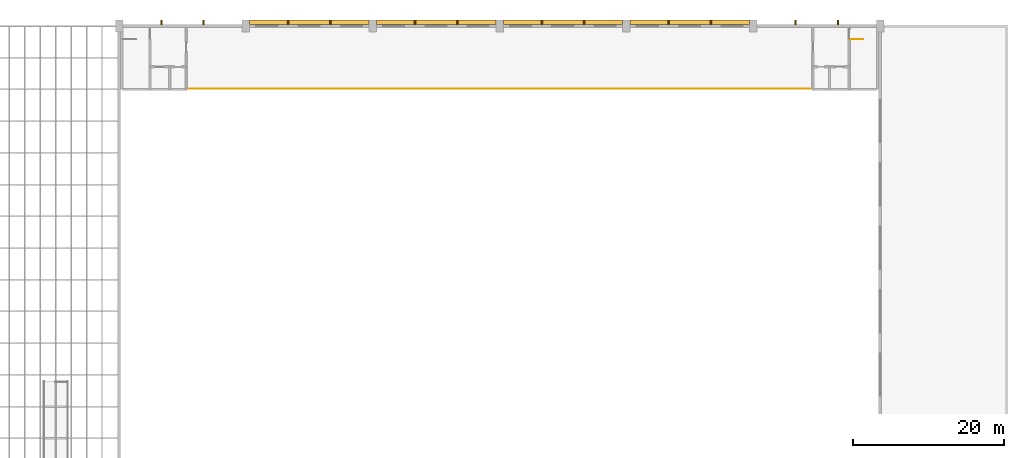
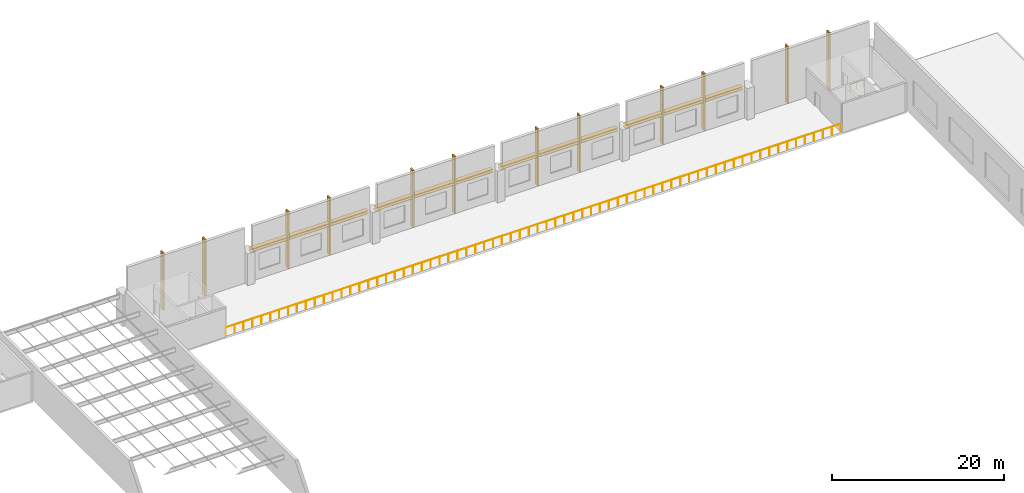
# One storey, part 158 of 162: 24 shading devices, 12 coverings, 2 railings.
"""IFC4 building model written with IfcOpenShell, lengths in metres."""

import ifcopenshell
import ifcopenshell.guid

model = None  # the IFC model being written
_history = None  # IfcOwnerHistory: only IFC2X3 demands one
_inside = {}  # id of a spatial element -> (the spatial element, [elements in it])
_under = {}  # id of a project, library or spatial element -> (it, [spatial elements below it])
_declared = {}  # id of a project -> (the project, [libraries it declares])
_typed = {}  # id of a type object -> (the type object, [elements of that type])
_made_of = {}  # id of a material, layer set ... -> (it, [elements and type objects made of it])


def new_model(schema):
    """Start an empty IFC model of exactly this schema.

    Asked for "IFC4X3", IfcOpenShell would pick the latest addendum, in which some entities
    have other attributes; the version numbers below select the first issue.
    IFC2X3 requires an IfcOwnerHistory on every rooted entity: one is made here for all.
    """
    global model, _history
    if schema == "IFC4X3":
        model = ifcopenshell.file(schema_version=(4, 3, 0, 0))
    else:
        model = ifcopenshell.file(schema=schema)
    _inside.clear()
    _under.clear()
    _declared.clear()
    _typed.clear()
    _made_of.clear()
    _history = None
    if model.schema == "IFC2X3":
        org = make("IfcOrganization", Name="unknown")
        user = make(
            "IfcPersonAndOrganization",
            ThePerson=make("IfcPerson", FamilyName="unknown"),
            TheOrganization=org,
        )
        app = make(
            "IfcApplication",
            ApplicationDeveloper=org,
            Version="unknown",
            ApplicationFullName="unknown",
            ApplicationIdentifier="unknown",
        )
        _history = make(
            "IfcOwnerHistory",
            OwningUser=user,
            OwningApplication=app,
            ChangeAction="ADDED",
            CreationDate=0,
        )
    return model


def make(cls, **values):
    """One entity of the class cls with the attributes given. An attribute that is None is left unset."""
    return model.create_entity(
        cls, **{name: value for name, value in values.items() if value is not None}
    )


def rooted(cls, **values):
    """An entity with a GlobalId (a new one), such as an element, a storey or a relation."""
    return make(cls, GlobalId=ifcopenshell.guid.new(), OwnerHistory=_history, **values)


def si_unit(unit_type, name, prefix=None):
    """IfcSIUnit, for example si_unit("LENGTHUNIT", "METRE", prefix="MILLI")."""
    return make("IfcSIUnit", UnitType=unit_type, Prefix=prefix, Name=name)


def assignment(units):
    """IfcUnitAssignment: the units of a project."""
    return None if units is None else make("IfcUnitAssignment", Units=units)


def point(xyz):
    """IfcCartesianPoint."""
    return None if xyz is None else make("IfcCartesianPoint", Coordinates=xyz)


def direction(xyz):
    """IfcDirection."""
    return None if xyz is None else make("IfcDirection", DirectionRatios=xyz)


def frame(location, z_axis=None, x_axis=None):
    """IfcAxis2Placement3D, a coordinate frame: its origin and axes. An axis left out is left unset."""
    return make(
        "IfcAxis2Placement3D",
        Location=point(location),
        Axis=direction(z_axis),
        RefDirection=direction(x_axis),
    )


def frame_2d(location, x_axis=None):
    """IfcAxis2Placement2D, a coordinate frame in the plane: its origin and x axis."""
    return make(
        "IfcAxis2Placement2D", Location=point(location), RefDirection=direction(x_axis)
    )


def origin():
    """The frame at (0, 0, 0) with its axes left unset."""
    return frame((0.0, 0.0, 0.0))


def origin_2d():
    """The frame at (0, 0) in the plane with its x axis left unset."""
    return frame_2d((0.0, 0.0))


def place(relative_to, where):
    """IfcLocalPlacement: puts the frame where relative to a parent placement (None: the world)."""
    return make(
        "IfcLocalPlacement", PlacementRelTo=relative_to, RelativePlacement=where
    )


def context(
    kind, dimensions, precision=None, world=None, true_north=None, identifier=None
):
    """IfcGeometricRepresentationContext, for example the 3D "Model" context."""
    return make(
        "IfcGeometricRepresentationContext",
        ContextIdentifier=identifier,
        ContextType=kind,
        CoordinateSpaceDimension=dimensions,
        Precision=precision,
        WorldCoordinateSystem=world,
        TrueNorth=true_north,
    )


def subcontext(parent, identifier, kind, view, scale=None):
    """IfcGeometricRepresentationSubContext, for example "Body" below "Model"."""
    return make(
        "IfcGeometricRepresentationSubContext",
        ContextIdentifier=identifier,
        ContextType=kind,
        ParentContext=parent,
        TargetScale=scale,
        TargetView=view,
    )


def project(units=None, contexts=None):
    """IfcProject with its units and contexts."""
    return rooted(
        "IfcProject",
        Name="project",
        RepresentationContexts=contexts,
        UnitsInContext=assignment(units),
    )


def spatial(cls, under=None, at=None, **own):
    """A site, building, storey or space (cls), placed at a placement, below another one or the project."""
    s = rooted(cls, ObjectPlacement=at, **own)
    if under is not None:
        _under.setdefault(under.id(), (under, []))[1].append(s)
    return s


def profile(cls, at=None, kind="AREA", **sizes):
    """A parametric profile (cls). Its sizes go by their IFC names, for example OverallWidth=200.0."""
    return make(cls, ProfileType=kind, Position=at, **sizes)


def rectangle(**sizes):
    """IfcRectangleProfileDef."""
    return profile("IfcRectangleProfileDef", **sizes)


def circle(**sizes):
    """IfcCircleProfileDef."""
    return profile("IfcCircleProfileDef", **sizes)


def extrude(swept, where, along, depth):
    """IfcExtrudedAreaSolid: the profile swept, set in the frame where, extruded along a direction by depth."""
    return make(
        "IfcExtrudedAreaSolid",
        SweptArea=swept,
        Position=where,
        ExtrudedDirection=direction(along),
        Depth=depth,
    )


def shape(context_of_items, identifier, shape_type, items):
    """IfcShapeRepresentation: the items that make up one representation, for example the "Body"."""
    return make(
        "IfcShapeRepresentation",
        ContextOfItems=context_of_items,
        RepresentationIdentifier=identifier,
        RepresentationType=shape_type,
        Items=items,
    )


def material(Name=None, Category=None):
    """IfcMaterial."""
    return make("IfcMaterial", Name=Name, Category=Category)


def layer(
    of_material, thickness, ventilated=None, Name=None, Category=None, Priority=None
):
    """IfcMaterialLayer: one layer of a wall or slab, of a material (None: an air gap)."""
    return make(
        "IfcMaterialLayer",
        Material=of_material,
        LayerThickness=thickness,
        IsVentilated=ventilated,
        Name=Name,
        Category=Category,
        Priority=Priority,
    )


def layer_set(layers, Name=None):
    """IfcMaterialLayerSet."""
    return make("IfcMaterialLayerSet", MaterialLayers=layers, LayerSetName=Name)


def made_of(thing, what):
    """Note that an element or type object is made of a material, layer set ...; save() writes the relation."""
    if what is not None:
        _made_of.setdefault(what.id(), (what, []))[1].append(thing)
    return thing


def type_object(cls, material=None, **own):
    """A type object (cls), such as IfcWallType, which elements share."""
    return made_of(rooted(cls, **own), material)


def element(
    cls,
    number,
    at=None,
    inside=None,
    cuts=None,
    type_object=None,
    material=None,
    context=None,
    identifier="Body",
    shape_type=None,
    held_by="IfcProductDefinitionShape",
    body=None,
    shapes=None,
    **own,
):
    """One element of the class cls, such as IfcWall. Its Tag is "e" and its number.

    at: its placement. inside: the storey or other place that contains it. cuts: it is an
    opening in that element (IfcRelVoidsElement). A single representation is given by context,
    identifier, shape_type and body (its items); several are given by shapes. held_by: the class
    of the entity that holds the representations. save() writes the other relations.
    """
    e = rooted(cls, Tag="e%d" % number, ObjectPlacement=at, **own)
    if body is not None:
        shapes = [shape(context, identifier, shape_type, body)]
    if shapes is not None:
        e.Representation = make(held_by, Representations=shapes)
    if inside is not None:
        _inside.setdefault(inside.id(), (inside, []))[1].append(e)
    if cuts is not None:
        rooted(
            "IfcRelVoidsElement", RelatingBuildingElement=cuts, RelatedOpeningElement=e
        )
    if type_object is not None:
        _typed.setdefault(type_object.id(), (type_object, []))[1].append(e)
    return made_of(e, material)


def aggregate(whole, parts):
    """IfcRelAggregates: a whole, such as a stair, and the parts it consists of."""
    return rooted("IfcRelAggregates", RelatingObject=whole, RelatedObjects=parts)


def save(model, path):
    """Write the relations noted so far, then the file.

    IfcRelAggregates (storeys below a building ...), IfcRelContainedInSpatialStructure (elements
    in a storey), IfcRelDefinesByType, IfcRelAssociatesMaterial and IfcRelDeclares: one each for
    every whole, place, type object, material and project.
    """
    for whole, parts in _under.values():
        aggregate(whole, parts)
    for where, things in _inside.values():
        rooted(
            "IfcRelContainedInSpatialStructure",
            RelatedElements=things,
            RelatingStructure=where,
        )
    for kind, things in _typed.values():
        rooted("IfcRelDefinesByType", RelatedObjects=things, RelatingType=kind)
    for what, things in _made_of.values():
        rooted("IfcRelAssociatesMaterial", RelatedObjects=things, RelatingMaterial=what)
    for by, libraries in _declared.values():
        rooted("IfcRelDeclares", RelatingContext=by, RelatedDefinitions=libraries)
    model.write(path)


model = new_model("IFC4")

# Units and contexts
model_context = context("Model", 3, precision=1e-05, world=origin(), true_north=direction((0.0, 1.0)))
body_context = subcontext(model_context, "Body", "Model", "MODEL_VIEW")
ifc_project = project(units=[si_unit("LENGTHUNIT", "METRE"), si_unit("AREAUNIT", "SQUARE_METRE"), si_unit("VOLUMEUNIT", "CUBIC_METRE"), si_unit("PLANEANGLEUNIT", "RADIAN"), si_unit("MASSUNIT", "GRAM", prefix="KILO")], contexts=[model_context])

# Site, building, storey
site_placement = place(None, origin())
site = spatial("IfcSite", under=ifc_project, at=site_placement, CompositionType="ELEMENT")
building_placement = place(site_placement, origin())
building = spatial("IfcBuilding", under=site, at=building_placement, Name="Rain Tree Exposition and Congress Centre", CompositionType="ELEMENT")
storey_placement = place(building_placement, frame((0.0, 0.0, 6.0)))
storey = spatial("IfcBuildingStorey", under=building, at=storey_placement, Name="L01", CompositionType="ELEMENT", Elevation=6.0)

# Railing
ifc_material_1 = material(Name="Steel S355J2H", Category="steel")
railing_type_1 = type_object("IfcRailingType", Name="Gallery guard 1200", PredefinedType="GUARDRAIL", material=ifc_material_1)
railing_1_placement = place(storey_placement, frame((151.824951171875, 193.300048828125, 0.0)))
element("IfcRailing", 1, at=railing_1_placement, inside=storey, type_object=railing_type_1, Name="Gallery guard N", PredefinedType="GUARDRAIL", context=body_context, shape_type="SweptSolid", body=[
    extrude(circle(Radius=0.02392578125, at=origin_2d()), frame((0.0, 0.0, 1.17578125), z_axis=(1.0, 0.0, 0.0), x_axis=(0.0, 1.0, 0.0)), (0.0, 0.0, 1.0), 82.75),
    extrude(circle(Radius=0.02099609375, at=origin_2d()), origin(), (0.0, 0.0, 1.0), 1.15185546875),
    extrude(circle(Radius=0.02099609375, at=origin_2d()), frame((1.19921875, 0.0, 0.0)), (0.0, 0.0, 1.0), 1.15185546875),
    extrude(circle(Radius=0.02099609375, at=origin_2d()), frame((2.3984375, 0.0, 0.0)), (0.0, 0.0, 1.0), 1.15185546875),
    extrude(circle(Radius=0.02099609375, at=origin_2d()), frame((3.597900390625, 0.0, 0.0)), (0.0, 0.0, 1.0), 1.15185546875),
    extrude(circle(Radius=0.02099609375, at=origin_2d()), frame((4.797119140625, 0.0, 0.0)), (0.0, 0.0, 1.0), 1.15185546875),
    extrude(circle(Radius=0.02099609375, at=origin_2d()), frame((5.996337890625, 0.0, 0.0)), (0.0, 0.0, 1.0), 1.15185546875),
    extrude(circle(Radius=0.02099609375, at=origin_2d()), frame((7.195556640625, 0.0, 0.0)), (0.0, 0.0, 1.0), 1.15185546875),
    extrude(circle(Radius=0.02099609375, at=origin_2d()), frame((8.39501953125, 0.0, 0.0)), (0.0, 0.0, 1.0), 1.15185546875),
    extrude(circle(Radius=0.02099609375, at=origin_2d()), frame((9.59423828125, 0.0, 0.0)), (0.0, 0.0, 1.0), 1.15185546875),
    extrude(circle(Radius=0.02099609375, at=origin_2d()), frame((10.79345703125, 0.0, 0.0)), (0.0, 0.0, 1.0), 1.15185546875),
    extrude(circle(Radius=0.02099609375, at=origin_2d()), frame((11.99267578125, 0.0, 0.0)), (0.0, 0.0, 1.0), 1.15185546875),
    extrude(circle(Radius=0.02099609375, at=origin_2d()), frame((13.192138671875, 0.0, 0.0)), (0.0, 0.0, 1.0), 1.15185546875),
    extrude(circle(Radius=0.02099609375, at=origin_2d()), frame((14.391357421875, 0.0, 0.0)), (0.0, 0.0, 1.0), 1.15185546875),
    extrude(circle(Radius=0.02099609375, at=origin_2d()), frame((15.590576171875, 0.0, 0.0)), (0.0, 0.0, 1.0), 1.15185546875),
    extrude(circle(Radius=0.02099609375, at=origin_2d()), frame((16.789794921875, 0.0, 0.0)), (0.0, 0.0, 1.0), 1.15185546875),
    extrude(circle(Radius=0.02099609375, at=origin_2d()), frame((17.989013671875, 0.0, 0.0)), (0.0, 0.0, 1.0), 1.15185546875),
    extrude(circle(Radius=0.02099609375, at=origin_2d()), frame((19.1884765625, 0.0, 0.0)), (0.0, 0.0, 1.0), 1.15185546875),
    extrude(circle(Radius=0.02099609375, at=origin_2d()), frame((20.3876953125, 0.0, 0.0)), (0.0, 0.0, 1.0), 1.15185546875),
    extrude(circle(Radius=0.02099609375, at=origin_2d()), frame((21.5869140625, 0.0, 0.0)), (0.0, 0.0, 1.0), 1.15185546875),
    extrude(circle(Radius=0.02099609375, at=origin_2d()), frame((22.7861328125, 0.0, 0.0)), (0.0, 0.0, 1.0), 1.15185546875),
    extrude(circle(Radius=0.02099609375, at=origin_2d()), frame((23.985595703125, 0.0, 0.0)), (0.0, 0.0, 1.0), 1.15185546875),
    extrude(circle(Radius=0.02099609375, at=origin_2d()), frame((25.184814453125, 0.0, 0.0)), (0.0, 0.0, 1.0), 1.15185546875),
    extrude(circle(Radius=0.02099609375, at=origin_2d()), frame((26.384033203125, 0.0, 0.0)), (0.0, 0.0, 1.0), 1.15185546875),
    extrude(circle(Radius=0.02099609375, at=origin_2d()), frame((27.583251953125, 0.0, 0.0)), (0.0, 0.0, 1.0), 1.15185546875),
    extrude(circle(Radius=0.02099609375, at=origin_2d()), frame((28.78271484375, 0.0, 0.0)), (0.0, 0.0, 1.0), 1.15185546875),
    extrude(circle(Radius=0.02099609375, at=origin_2d()), frame((29.98193359375, 0.0, 0.0)), (0.0, 0.0, 1.0), 1.15185546875),
    extrude(circle(Radius=0.02099609375, at=origin_2d()), frame((31.18115234375, 0.0, 0.0)), (0.0, 0.0, 1.0), 1.15185546875),
    extrude(circle(Radius=0.02099609375, at=origin_2d()), frame((32.38037109375, 0.0, 0.0)), (0.0, 0.0, 1.0), 1.15185546875),
    extrude(circle(Radius=0.02099609375, at=origin_2d()), frame((33.57958984375, 0.0, 0.0)), (0.0, 0.0, 1.0), 1.15185546875),
    extrude(circle(Radius=0.02099609375, at=origin_2d()), frame((34.779052734375, 0.0, 0.0)), (0.0, 0.0, 1.0), 1.15185546875),
    extrude(circle(Radius=0.02099609375, at=origin_2d()), frame((35.978271484375, 0.0, 0.0)), (0.0, 0.0, 1.0), 1.15185546875),
    extrude(circle(Radius=0.02099609375, at=origin_2d()), frame((37.177490234375, 0.0, 0.0)), (0.0, 0.0, 1.0), 1.15185546875),
    extrude(circle(Radius=0.02099609375, at=origin_2d()), frame((38.376708984375, 0.0, 0.0)), (0.0, 0.0, 1.0), 1.15185546875),
    extrude(circle(Radius=0.02099609375, at=origin_2d()), frame((39.576171875, 0.0, 0.0)), (0.0, 0.0, 1.0), 1.15185546875),
    extrude(circle(Radius=0.02099609375, at=origin_2d()), frame((40.775390625, 0.0, 0.0)), (0.0, 0.0, 1.0), 1.15185546875),
    extrude(circle(Radius=0.02099609375, at=origin_2d()), frame((41.974609375, 0.0, 0.0)), (0.0, 0.0, 1.0), 1.15185546875),
    extrude(circle(Radius=0.02099609375, at=origin_2d()), frame((43.173828125, 0.0, 0.0)), (0.0, 0.0, 1.0), 1.15185546875),
    extrude(circle(Radius=0.02099609375, at=origin_2d()), frame((44.373291015625, 0.0, 0.0)), (0.0, 0.0, 1.0), 1.15185546875),
    extrude(circle(Radius=0.02099609375, at=origin_2d()), frame((45.572509765625, 0.0, 0.0)), (0.0, 0.0, 1.0), 1.15185546875),
    extrude(circle(Radius=0.02099609375, at=origin_2d()), frame((46.771728515625, 0.0, 0.0)), (0.0, 0.0, 1.0), 1.15185546875),
    extrude(circle(Radius=0.02099609375, at=origin_2d()), frame((47.970947265625, 0.0, 0.0)), (0.0, 0.0, 1.0), 1.15185546875),
    extrude(circle(Radius=0.02099609375, at=origin_2d()), frame((49.17041015625, 0.0, 0.0)), (0.0, 0.0, 1.0), 1.15185546875),
    extrude(circle(Radius=0.02099609375, at=origin_2d()), frame((50.36962890625, 0.0, 0.0)), (0.0, 0.0, 1.0), 1.15185546875),
    extrude(circle(Radius=0.02099609375, at=origin_2d()), frame((51.56884765625, 0.0, 0.0)), (0.0, 0.0, 1.0), 1.15185546875),
    extrude(circle(Radius=0.02099609375, at=origin_2d()), frame((52.76806640625, 0.0, 0.0)), (0.0, 0.0, 1.0), 1.15185546875),
    extrude(circle(Radius=0.02099609375, at=origin_2d()), frame((53.96728515625, 0.0, 0.0)), (0.0, 0.0, 1.0), 1.15185546875),
    extrude(circle(Radius=0.02099609375, at=origin_2d()), frame((55.166748046875, 0.0, 0.0)), (0.0, 0.0, 1.0), 1.15185546875),
    extrude(circle(Radius=0.02099609375, at=origin_2d()), frame((56.365966796875, 0.0, 0.0)), (0.0, 0.0, 1.0), 1.15185546875),
    extrude(circle(Radius=0.02099609375, at=origin_2d()), frame((57.565185546875, 0.0, 0.0)), (0.0, 0.0, 1.0), 1.15185546875),
    extrude(circle(Radius=0.02099609375, at=origin_2d()), frame((58.764404296875, 0.0, 0.0)), (0.0, 0.0, 1.0), 1.15185546875),
    extrude(circle(Radius=0.02099609375, at=origin_2d()), frame((59.9638671875, 0.0, 0.0)), (0.0, 0.0, 1.0), 1.15185546875),
    extrude(circle(Radius=0.02099609375, at=origin_2d()), frame((61.1630859375, 0.0, 0.0)), (0.0, 0.0, 1.0), 1.15185546875),
    extrude(circle(Radius=0.02099609375, at=origin_2d()), frame((62.3623046875, 0.0, 0.0)), (0.0, 0.0, 1.0), 1.15185546875),
    extrude(circle(Radius=0.02099609375, at=origin_2d()), frame((63.5615234375, 0.0, 0.0)), (0.0, 0.0, 1.0), 1.15185546875),
    extrude(circle(Radius=0.02099609375, at=origin_2d()), frame((64.760986328125, 0.0, 0.0)), (0.0, 0.0, 1.0), 1.15185546875),
    extrude(circle(Radius=0.02099609375, at=origin_2d()), frame((65.960205078125, 0.0, 0.0)), (0.0, 0.0, 1.0), 1.15185546875),
    extrude(circle(Radius=0.02099609375, at=origin_2d()), frame((67.159423828125, 0.0, 0.0)), (0.0, 0.0, 1.0), 1.15185546875),
    extrude(circle(Radius=0.02099609375, at=origin_2d()), frame((68.358642578125, 0.0, 0.0)), (0.0, 0.0, 1.0), 1.15185546875),
    extrude(circle(Radius=0.02099609375, at=origin_2d()), frame((69.557861328125, 0.0, 0.0)), (0.0, 0.0, 1.0), 1.15185546875),
    extrude(circle(Radius=0.02099609375, at=origin_2d()), frame((70.75732421875, 0.0, 0.0)), (0.0, 0.0, 1.0), 1.15185546875),
    extrude(circle(Radius=0.02099609375, at=origin_2d()), frame((71.95654296875, 0.0, 0.0)), (0.0, 0.0, 1.0), 1.15185546875),
    extrude(circle(Radius=0.02099609375, at=origin_2d()), frame((73.15576171875, 0.0, 0.0)), (0.0, 0.0, 1.0), 1.15185546875),
    extrude(circle(Radius=0.02099609375, at=origin_2d()), frame((74.35498046875, 0.0, 0.0)), (0.0, 0.0, 1.0), 1.15185546875),
    extrude(circle(Radius=0.02099609375, at=origin_2d()), frame((75.554443359375, 0.0, 0.0)), (0.0, 0.0, 1.0), 1.15185546875),
    extrude(circle(Radius=0.02099609375, at=origin_2d()), frame((76.753662109375, 0.0, 0.0)), (0.0, 0.0, 1.0), 1.15185546875),
    extrude(circle(Radius=0.02099609375, at=origin_2d()), frame((77.952880859375, 0.0, 0.0)), (0.0, 0.0, 1.0), 1.15185546875),
    extrude(circle(Radius=0.02099609375, at=origin_2d()), frame((79.152099609375, 0.0, 0.0)), (0.0, 0.0, 1.0), 1.15185546875),
    extrude(circle(Radius=0.02099609375, at=origin_2d()), frame((80.3515625, 0.0, 0.0)), (0.0, 0.0, 1.0), 1.15185546875),
    extrude(circle(Radius=0.02099609375, at=origin_2d()), frame((81.55078125, 0.0, 0.0)), (0.0, 0.0, 1.0), 1.15185546875),
    extrude(circle(Radius=0.02099609375, at=origin_2d()), frame((82.75, 0.0, 0.0)), (0.0, 0.0, 1.0), 1.15185546875),
])

# Coverings
ifc_material_2 = material(Name="Precast concrete C50/60", Category="concrete")
ifc_layer_1 = layer(ifc_material_2, 0.199951171875)
ifc_layer_set_1 = layer_set([ifc_layer_1], Name="Precast concrete C50/60")
covering_type = type_object("IfcCoveringType", Name="North face fin 200x600", PredefinedType="CLADDING", material=ifc_layer_set_1)
for number, where, z_axis, x_axis, name in (
    (2, (148.39990234375, 202.10009765625, -0.300048828125), (0.0, 0.0, 1.0), (1.0, 0.0, 0.0), "Facade fin N1.1"),
    (3, (154.0, 202.10009765625, -0.300048828125), (0.0, 0.0, 1.0), (1.0, 0.0, 0.0), "Facade fin N1.2"),
    (4, (165.199951171875, 202.10009765625, -0.300048828125), (0.0, 0.0, 1.0), (1.0, 0.0, 0.0), "Facade fin N2.1"),
    (5, (170.800048828125, 202.10009765625, -0.300048828125), (0.0, 0.0, 1.0), (1.0, 0.0, 0.0), "Facade fin N2.2"),
    (6, (182.0, 202.10009765625, -0.300048828125), (0.0, 0.0, 1.0), (1.0, 0.0, 0.0), "Facade fin N3.1"),
    (7, (187.60009765625, 202.10009765625, -0.300048828125), (0.0, 0.0, 1.0), (1.0, 0.0, 0.0), "Facade fin N3.2"),
    (8, (198.800048828125, 202.10009765625, -0.300048828125), (0.0, 0.0, 1.0), (1.0, 0.0, 0.0), "Facade fin N4.1"),
    (9, (204.39990234375, 202.10009765625, -0.300048828125), (0.0, 0.0, 1.0), (1.0, 0.0, 0.0), "Facade fin N4.2"),
    (10, (215.60009765625, 202.10009765625, -0.300048828125), (0.0, 0.0, 1.0), (1.0, 0.0, 0.0), "Facade fin N5.1"),
    (11, (221.199951171875, 202.10009765625, -0.300048828125), (0.0, 0.0, 1.0), (1.0, 0.0, 0.0), "Facade fin N5.2"),
    (12, (232.39990234375, 202.10009765625, -0.300048828125), (0.0, 0.0, 1.0), (1.0, 0.0, 0.0), "Facade fin N6.1"),
    (13, (238.0, 202.10009765625, -0.300048828125), (0.0, 0.0, 1.0), (1.0, 0.0, 0.0), "Facade fin N6.2"),
):
    element("IfcCovering", number, at=place(storey_placement, frame(where, z_axis=z_axis, x_axis=x_axis)), inside=storey, type_object=covering_type, Name=name, PredefinedType="CLADDING", context=body_context, shape_type="SweptSolid", body=[
        extrude(rectangle(XDim=0.199951171875, YDim=0.60009765625, at=origin_2d()), origin(), (0.0, 0.0, 1.0), 8.10009765625),
    ])

# Railing
ifc_material_3 = material(Name="Steel S355J2H", Category="steel")
railing_type_2 = type_object("IfcRailingType", Name="Stair guard 1100", PredefinedType="GUARDRAIL", material=ifc_material_3)
railing_2_placement = place(storey_placement, frame((239.625, 199.85009765625, 0.0)))
element("IfcRailing", 14, at=railing_2_placement, inside=storey, type_object=railing_type_2, Name="L01 ST-H8 top well guard 1", PredefinedType="GUARDRAIL", context=body_context, shape_type="SweptSolid", body=[
    extrude(circle(Radius=0.02392578125, at=origin_2d()), frame((0.0, 0.0, 1.076171875), z_axis=(1.0, 0.0, 0.0), x_axis=(0.0, 1.0, 0.0)), (0.0, 0.0, 1.0), 1.75),
    extrude(circle(Radius=0.02099609375, at=origin_2d()), origin(), (0.0, 0.0, 1.0), 1.052001953125),
    extrude(circle(Radius=0.02099609375, at=origin_2d()), frame((0.875, 0.0, 0.0)), (0.0, 0.0, 1.0), 1.052001953125),
    extrude(circle(Radius=0.02099609375, at=origin_2d()), frame((1.75, 0.0, 0.0)), (0.0, 0.0, 1.0), 1.052001953125),
])

# Shading devices
ifc_material_4 = material(Name="Aluminium", Category="aluminium")
ifc_layer_2 = layer(ifc_material_4, 0.06005859375)
ifc_layer_set_2 = layer_set([ifc_layer_2], Name="Aluminium")
shading_device_type = type_object("IfcShadingDeviceType", Name="Sun blade 60x600", PredefinedType="JALOUSIE", material=ifc_layer_set_2)
for number, where, z_axis, x_axis, name in (
    (15, (162.60009765625, 202.10009765625, 3.75), (0.0, 0.0, 1.0), (1.0, 0.0, 0.0), "Sun blade N2.1.1"),
    (16, (162.60009765625, 202.10009765625, 4.14990234375), (0.0, 0.0, 1.0), (1.0, 0.0, 0.0), "Sun blade N2.1.2"),
):
    element("IfcShadingDevice", number, at=place(storey_placement, frame(where, z_axis=z_axis, x_axis=x_axis)), inside=storey, type_object=shading_device_type, Name=name, PredefinedType="JALOUSIE", context=body_context, shape_type="SweptSolid", body=[
        extrude(rectangle(XDim=5.0, YDim=0.60009765625, at=origin_2d()), origin(), (0.0, 0.0, 1.0), 0.06005859375),
    ])
for number, where, z_axis, x_axis, name in (
    (17, (168.0, 202.10009765625, 3.75), (0.0, 0.0, 1.0), (1.0, 0.0, 0.0), "Sun blade N2.2.1"),
    (18, (168.0, 202.10009765625, 4.14990234375), (0.0, 0.0, 1.0), (1.0, 0.0, 0.0), "Sun blade N2.2.2"),
):
    element("IfcShadingDevice", number, at=place(storey_placement, frame(where, z_axis=z_axis, x_axis=x_axis)), inside=storey, type_object=shading_device_type, Name=name, PredefinedType="JALOUSIE", context=body_context, shape_type="SweptSolid", body=[
        extrude(rectangle(XDim=5.39990234375, YDim=0.60009765625, at=origin_2d()), origin(), (0.0, 0.0, 1.0), 0.06005859375),
    ])
for number, where, z_axis, x_axis, name in (
    (19, (173.39990234375, 202.10009765625, 3.75), (0.0, 0.0, 1.0), (1.0, 0.0, 0.0), "Sun blade N2.3.1"),
    (20, (173.39990234375, 202.10009765625, 4.14990234375), (0.0, 0.0, 1.0), (1.0, 0.0, 0.0), "Sun blade N2.3.2"),
    (21, (179.39990234375, 202.10009765625, 3.75), (0.0, 0.0, 1.0), (1.0, 0.0, 0.0), "Sun blade N3.1.1"),
    (22, (179.39990234375, 202.10009765625, 4.14990234375), (0.0, 0.0, 1.0), (1.0, 0.0, 0.0), "Sun blade N3.1.2"),
):
    element("IfcShadingDevice", number, at=place(storey_placement, frame(where, z_axis=z_axis, x_axis=x_axis)), inside=storey, type_object=shading_device_type, Name=name, PredefinedType="JALOUSIE", context=body_context, shape_type="SweptSolid", body=[
        extrude(rectangle(XDim=5.0, YDim=0.60009765625, at=origin_2d()), origin(), (0.0, 0.0, 1.0), 0.06005859375),
    ])
for number, where, z_axis, x_axis, name in (
    (23, (184.800048828125, 202.10009765625, 3.75), (0.0, 0.0, 1.0), (1.0, 0.0, 0.0), "Sun blade N3.2.1"),
    (24, (184.800048828125, 202.10009765625, 4.14990234375), (0.0, 0.0, 1.0), (1.0, 0.0, 0.0), "Sun blade N3.2.2"),
):
    element("IfcShadingDevice", number, at=place(storey_placement, frame(where, z_axis=z_axis, x_axis=x_axis)), inside=storey, type_object=shading_device_type, Name=name, PredefinedType="JALOUSIE", context=body_context, shape_type="SweptSolid", body=[
        extrude(rectangle(XDim=5.39990234375, YDim=0.60009765625, at=origin_2d()), origin(), (0.0, 0.0, 1.0), 0.06005859375),
    ])
for number, where, z_axis, x_axis, name in (
    (25, (190.199951171875, 202.10009765625, 3.75), (0.0, 0.0, 1.0), (1.0, 0.0, 0.0), "Sun blade N3.3.1"),
    (26, (190.199951171875, 202.10009765625, 4.14990234375), (0.0, 0.0, 1.0), (1.0, 0.0, 0.0), "Sun blade N3.3.2"),
    (27, (196.199951171875, 202.10009765625, 3.75), (0.0, 0.0, 1.0), (1.0, 0.0, 0.0), "Sun blade N4.1.1"),
    (28, (196.199951171875, 202.10009765625, 4.14990234375), (0.0, 0.0, 1.0), (1.0, 0.0, 0.0), "Sun blade N4.1.2"),
):
    element("IfcShadingDevice", number, at=place(storey_placement, frame(where, z_axis=z_axis, x_axis=x_axis)), inside=storey, type_object=shading_device_type, Name=name, PredefinedType="JALOUSIE", context=body_context, shape_type="SweptSolid", body=[
        extrude(rectangle(XDim=5.0, YDim=0.60009765625, at=origin_2d()), origin(), (0.0, 0.0, 1.0), 0.06005859375),
    ])
for number, where, z_axis, x_axis, name in (
    (29, (201.60009765625, 202.10009765625, 3.75), (0.0, 0.0, 1.0), (1.0, 0.0, 0.0), "Sun blade N4.2.1"),
    (30, (201.60009765625, 202.10009765625, 4.14990234375), (0.0, 0.0, 1.0), (1.0, 0.0, 0.0), "Sun blade N4.2.2"),
):
    element("IfcShadingDevice", number, at=place(storey_placement, frame(where, z_axis=z_axis, x_axis=x_axis)), inside=storey, type_object=shading_device_type, Name=name, PredefinedType="JALOUSIE", context=body_context, shape_type="SweptSolid", body=[
        extrude(rectangle(XDim=5.39990234375, YDim=0.60009765625, at=origin_2d()), origin(), (0.0, 0.0, 1.0), 0.06005859375),
    ])
for number, where, z_axis, x_axis, name in (
    (31, (207.0, 202.10009765625, 3.75), (0.0, 0.0, 1.0), (1.0, 0.0, 0.0), "Sun blade N4.3.1"),
    (32, (207.0, 202.10009765625, 4.14990234375), (0.0, 0.0, 1.0), (1.0, 0.0, 0.0), "Sun blade N4.3.2"),
    (33, (213.0, 202.10009765625, 3.75), (0.0, 0.0, 1.0), (1.0, 0.0, 0.0), "Sun blade N5.1.1"),
    (34, (213.0, 202.10009765625, 4.14990234375), (0.0, 0.0, 1.0), (1.0, 0.0, 0.0), "Sun blade N5.1.2"),
):
    element("IfcShadingDevice", number, at=place(storey_placement, frame(where, z_axis=z_axis, x_axis=x_axis)), inside=storey, type_object=shading_device_type, Name=name, PredefinedType="JALOUSIE", context=body_context, shape_type="SweptSolid", body=[
        extrude(rectangle(XDim=5.0, YDim=0.60009765625, at=origin_2d()), origin(), (0.0, 0.0, 1.0), 0.06005859375),
    ])
for number, where, z_axis, x_axis, name in (
    (35, (218.39990234375, 202.10009765625, 3.75), (0.0, 0.0, 1.0), (1.0, 0.0, 0.0), "Sun blade N5.2.1"),
    (36, (218.39990234375, 202.10009765625, 4.14990234375), (0.0, 0.0, 1.0), (1.0, 0.0, 0.0), "Sun blade N5.2.2"),
):
    element("IfcShadingDevice", number, at=place(storey_placement, frame(where, z_axis=z_axis, x_axis=x_axis)), inside=storey, type_object=shading_device_type, Name=name, PredefinedType="JALOUSIE", context=body_context, shape_type="SweptSolid", body=[
        extrude(rectangle(XDim=5.39990234375, YDim=0.60009765625, at=origin_2d()), origin(), (0.0, 0.0, 1.0), 0.06005859375),
    ])
for number, where, z_axis, x_axis, name in (
    (37, (223.800048828125, 202.10009765625, 3.75), (0.0, 0.0, 1.0), (1.0, 0.0, 0.0), "Sun blade N5.3.1"),
    (38, (223.800048828125, 202.10009765625, 4.14990234375), (0.0, 0.0, 1.0), (1.0, 0.0, 0.0), "Sun blade N5.3.2"),
):
    element("IfcShadingDevice", number, at=place(storey_placement, frame(where, z_axis=z_axis, x_axis=x_axis)), inside=storey, type_object=shading_device_type, Name=name, PredefinedType="JALOUSIE", context=body_context, shape_type="SweptSolid", body=[
        extrude(rectangle(XDim=5.0, YDim=0.60009765625, at=origin_2d()), origin(), (0.0, 0.0, 1.0), 0.06005859375),
    ])

save(model, "model.ifc")
